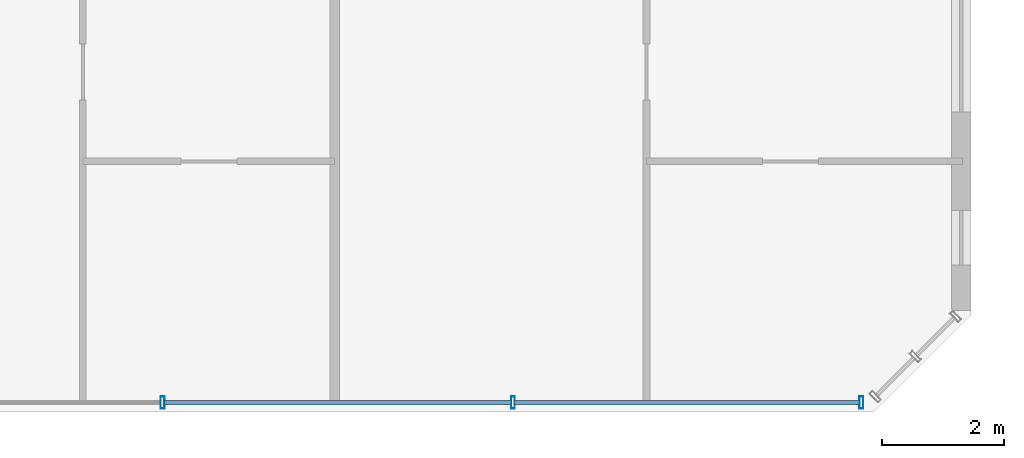
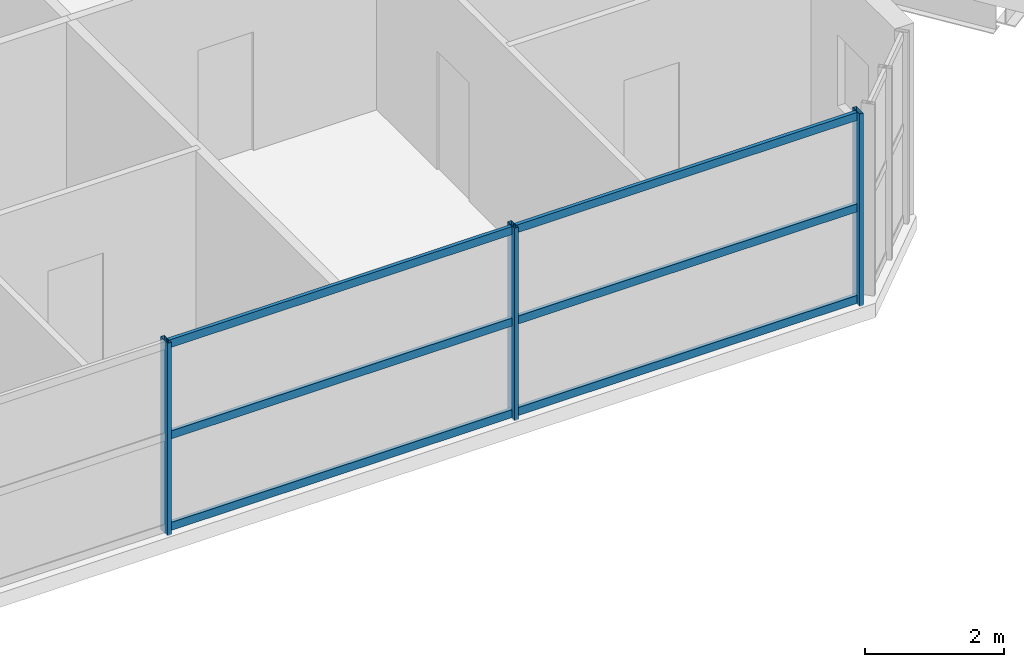
# One storey, part 8 of 25: 9 members, 1 element without a shape of its own.
"""IFC4 building model written with IfcOpenShell, lengths in metres."""

from ifc_helpers import new_model, si_unit, direction, frame, origin, origin_2d, place, context, subcontext, project, spatial, hollow_rectangle, extrude, source, transform, mapped, material, material_profile, profile_set, type_object, element, aggregate, save


model = new_model("IFC4")

# Units and contexts
model_context = context("Model", 3, precision=1e-05, world=origin(), true_north=direction((0.0, 1.0)))
body_context = subcontext(model_context, "Body", "Model", "MODEL_VIEW")
ifc_project = project(units=[si_unit("LENGTHUNIT", "METRE"), si_unit("AREAUNIT", "SQUARE_METRE"), si_unit("VOLUMEUNIT", "CUBIC_METRE"), si_unit("PLANEANGLEUNIT", "RADIAN"), si_unit("MASSUNIT", "GRAM", prefix="KILO")], contexts=[model_context])

# Site, building, storey
site_placement = place(None, origin())
site = spatial("IfcSite", under=ifc_project, at=site_placement, CompositionType="ELEMENT")
building_placement = place(site_placement, origin())
building = spatial("IfcBuilding", under=site, at=building_placement, Name="Tlacorven Tower", CompositionType="ELEMENT")
storey_placement = place(building_placement, frame((0.0, 0.0, 155.10009765625)))
storey = spatial("IfcBuildingStorey", under=building, at=storey_placement, Name="L39", CompositionType="ELEMENT", Elevation=155.10009765625)

# Curtain wall, members
ifc_material_1 = material(Name="Dark solar low-E double glazing in aluminium frame", Category="aluminium")
curtain_wall_type = type_object("IfcCurtainWallType", Name="CW-TWR-MID", PredefinedType="USERDEFINED", material=ifc_material_1)
curtain_wall_placement = place(storey_placement, origin())
curtain_wall = element("IfcCurtainWall", 1, at=curtain_wall_placement, inside=storey, type_object=curtain_wall_type, Name="L39 CW-TWR-MID Curtain Wall 173", ObjectType="UNITISED CURTAIN WALL", PredefinedType="USERDEFINED")
ifc_material_2 = material(Name="Aluminium 6063-T6 anodised", Category="aluminium")
ifc_material_profile_1 = material_profile(ifc_material_2, hollow_rectangle(XDim=0.06494140625, YDim=0.199951171875, WallThickness=0.00439453125, at=origin_2d()), Name="ALU MULLION 65X200")
ifc_profile_set_1 = profile_set([ifc_material_profile_1], Name="Aluminium 6063-T6 anodised")
member_type_1 = type_object("IfcMemberType", Name="CWM-02", PredefinedType="MULLION", material=ifc_profile_set_1)
shared_shape_1 = source(origin(), body_context, "Body", "SweptSolid", [
    extrude(hollow_rectangle(XDim=0.06494140625, YDim=0.199951171875, WallThickness=0.00439453125, at=origin_2d()), origin(), (0.0, 0.0, 1.0), 3.3798828125),
])
member_1_placement = place(storey_placement, frame((50.601318359375, 1.9599609375, -0.02001953125), z_axis=(0.0, 0.0, 1.0), x_axis=(-1.0, 0.0, 0.0)))
member_1 = element("IfcMember", 2, at=member_1_placement, type_object=member_type_1, Name="CW-L39-173 Mullion 1", PredefinedType="MULLION", context=body_context, shape_type="MappedRepresentation", body=[
    mapped(shared_shape_1, transform((0.0, 0.0, 0.0), scale=1.0)),
])
member_2_placement = place(storey_placement, frame((44.8779296875, 1.9599609375, -0.02001953125), z_axis=(0.0, 0.0, 1.0), x_axis=(-1.0, 0.0, 0.0)))
member_2 = element("IfcMember", 3, at=member_2_placement, type_object=member_type_1, Name="CW-L39-173 Mullion 2", PredefinedType="MULLION", context=body_context, shape_type="MappedRepresentation", body=[
    mapped(shared_shape_1, transform((0.0, 0.0, 0.0), scale=1.0)),
])
member_3_placement = place(storey_placement, frame((39.1220703125, 1.9599609375, -0.02001953125), z_axis=(0.0, 0.0, 1.0), x_axis=(-1.0, 0.0, 0.0)))
member_3 = element("IfcMember", 4, at=member_3_placement, type_object=member_type_1, Name="CW-L39-173 Mullion 3", PredefinedType="MULLION", context=body_context, shape_type="MappedRepresentation", body=[
    mapped(shared_shape_1, transform((0.0, 0.0, 0.0), scale=1.0)),
])
ifc_material_profile_2 = material_profile(ifc_material_2, hollow_rectangle(XDim=0.06005859375, YDim=0.139892578125, WallThickness=0.00390625, at=origin_2d()), Name="ALU TRANSOM 60X140")
ifc_profile_set_2 = profile_set([ifc_material_profile_2], Name="Aluminium 6063-T6 anodised")
member_type_2 = type_object("IfcMemberType", Name="CWT-02", PredefinedType="USERDEFINED", material=ifc_profile_set_2)
shared_shape_2 = source(origin(), body_context, "Body", "SweptSolid", [
    extrude(hollow_rectangle(XDim=0.06005859375, YDim=0.139892578125, WallThickness=0.00390625, at=origin_2d()), origin(), (0.0, 0.0, 1.0), 5.682373046875),
])
member_4_placement = place(storey_placement, frame((50.580810546875, 1.9599609375, 0.06982421875), z_axis=(-1.0, 0.0, 0.0), x_axis=(0.0, -1.0, 0.0)))
member_4 = element("IfcMember", 5, at=member_4_placement, type_object=member_type_2, Name="CW-L39-173 Transom 1", ObjectType="TRANSOM", PredefinedType="USERDEFINED", context=body_context, shape_type="MappedRepresentation", body=[
    mapped(shared_shape_2, transform((0.0, 0.0, 0.0), scale=1.0)),
])
member_5_placement = place(storey_placement, frame((50.580810546875, 1.9599609375, 1.6748046875), z_axis=(-1.0, 0.0, 0.0), x_axis=(0.0, -1.0, 0.0)))
member_5 = element("IfcMember", 6, at=member_5_placement, type_object=member_type_2, Name="CW-L39-173 Transom 2", ObjectType="TRANSOM", PredefinedType="USERDEFINED", context=body_context, shape_type="MappedRepresentation", body=[
    mapped(shared_shape_2, transform((0.0, 0.0, 0.0), scale=1.0)),
])
member_6_placement = place(storey_placement, frame((50.580810546875, 1.9599609375, 3.27978515625), z_axis=(-1.0, 0.0, 0.0), x_axis=(0.0, -1.0, 0.0)))
member_6 = element("IfcMember", 7, at=member_6_placement, type_object=member_type_2, Name="CW-L39-173 Transom 3", ObjectType="TRANSOM", PredefinedType="USERDEFINED", context=body_context, shape_type="MappedRepresentation", body=[
    mapped(shared_shape_2, transform((0.0, 0.0, 0.0), scale=1.0)),
])
shared_shape_3 = source(origin(), body_context, "Body", "SweptSolid", [
    extrude(hollow_rectangle(XDim=0.06005859375, YDim=0.139892578125, WallThickness=0.00390625, at=origin_2d()), origin(), (0.0, 0.0, 1.0), 5.71484375),
])
member_7_placement = place(storey_placement, frame((44.857421875, 1.9599609375, 0.06982421875), z_axis=(-1.0, 0.0, 0.0), x_axis=(0.0, -1.0, 0.0)))
member_7 = element("IfcMember", 8, at=member_7_placement, type_object=member_type_2, Name="CW-L39-173 Transom 4", ObjectType="TRANSOM", PredefinedType="USERDEFINED", context=body_context, shape_type="MappedRepresentation", body=[
    mapped(shared_shape_3, transform((0.0, 0.0, 0.0), scale=1.0)),
])
member_8_placement = place(storey_placement, frame((44.857421875, 1.9599609375, 1.6748046875), z_axis=(-1.0, 0.0, 0.0), x_axis=(0.0, -1.0, 0.0)))
member_8 = element("IfcMember", 9, at=member_8_placement, type_object=member_type_2, Name="CW-L39-173 Transom 5", ObjectType="TRANSOM", PredefinedType="USERDEFINED", context=body_context, shape_type="MappedRepresentation", body=[
    mapped(shared_shape_3, transform((0.0, 0.0, 0.0), scale=1.0)),
])
member_9_placement = place(storey_placement, frame((44.857421875, 1.9599609375, 3.27978515625), z_axis=(-1.0, 0.0, 0.0), x_axis=(0.0, -1.0, 0.0)))
member_9 = element("IfcMember", 10, at=member_9_placement, type_object=member_type_2, Name="CW-L39-173 Transom 6", ObjectType="TRANSOM", PredefinedType="USERDEFINED", context=body_context, shape_type="MappedRepresentation", body=[
    mapped(shared_shape_3, transform((0.0, 0.0, 0.0), scale=1.0)),
])
aggregate(curtain_wall, [member_1, member_2, member_3, member_4, member_5, member_6, member_7, member_8, member_9])

save(model, "model.ifc")
